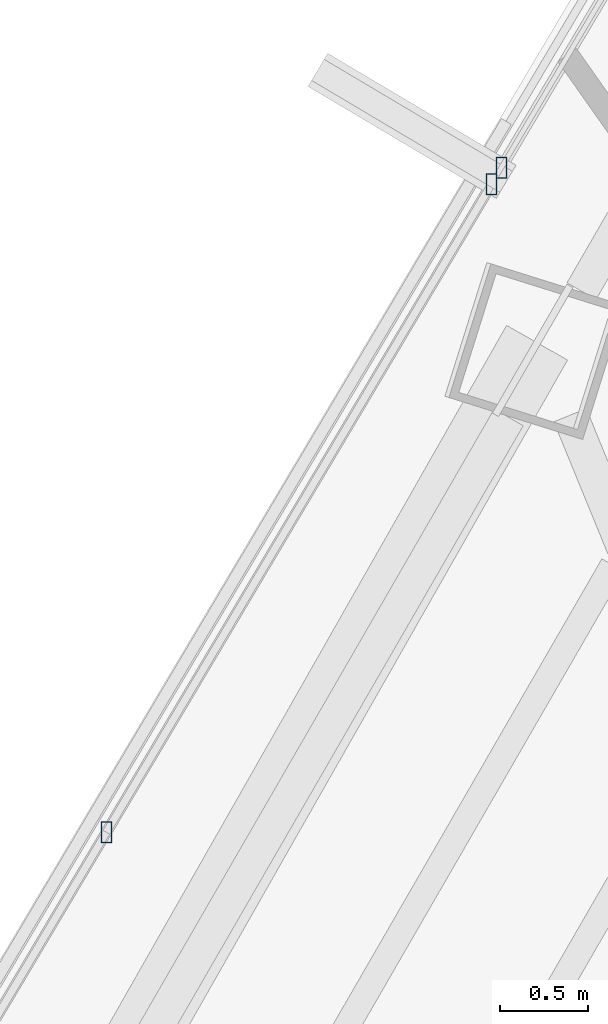
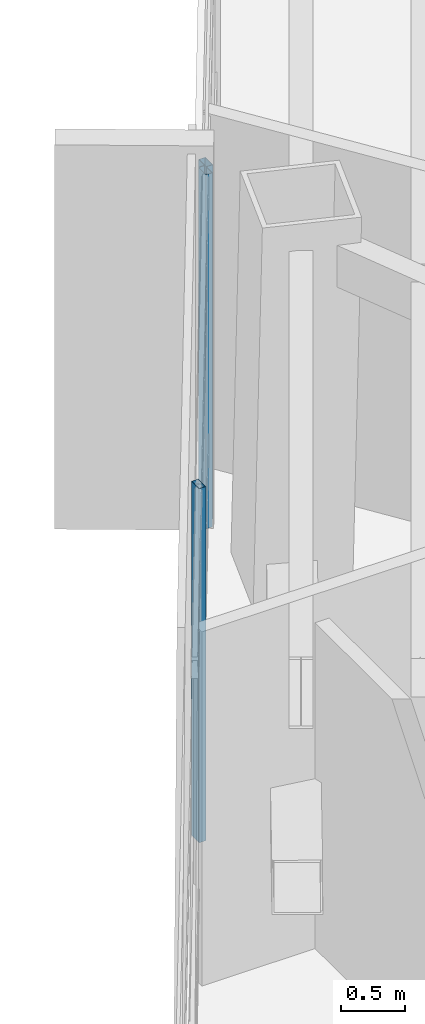
# One storey, part 20 of 47: 3 members, 2 elements without a shape of their own.
"""IFC4 building model written with IfcOpenShell, lengths in metres."""

import ifcopenshell
import ifcopenshell.guid

model = None  # the IFC model being written
_history = None  # IfcOwnerHistory: only IFC2X3 demands one
_inside = {}  # id of a spatial element -> (the spatial element, [elements in it])
_under = {}  # id of a project, library or spatial element -> (it, [spatial elements below it])
_declared = {}  # id of a project -> (the project, [libraries it declares])
_typed = {}  # id of a type object -> (the type object, [elements of that type])
_made_of = {}  # id of a material, layer set ... -> (it, [elements and type objects made of it])


def new_model(schema):
    """Start an empty IFC model of exactly this schema.

    Asked for "IFC4X3", IfcOpenShell would pick the latest addendum, in which some entities
    have other attributes; the version numbers below select the first issue.
    IFC2X3 requires an IfcOwnerHistory on every rooted entity: one is made here for all.
    """
    global model, _history
    if schema == "IFC4X3":
        model = ifcopenshell.file(schema_version=(4, 3, 0, 0))
    else:
        model = ifcopenshell.file(schema=schema)
    _inside.clear()
    _under.clear()
    _declared.clear()
    _typed.clear()
    _made_of.clear()
    _history = None
    if model.schema == "IFC2X3":
        org = make("IfcOrganization", Name="unknown")
        user = make(
            "IfcPersonAndOrganization",
            ThePerson=make("IfcPerson", FamilyName="unknown"),
            TheOrganization=org,
        )
        app = make(
            "IfcApplication",
            ApplicationDeveloper=org,
            Version="unknown",
            ApplicationFullName="unknown",
            ApplicationIdentifier="unknown",
        )
        _history = make(
            "IfcOwnerHistory",
            OwningUser=user,
            OwningApplication=app,
            ChangeAction="ADDED",
            CreationDate=0,
        )
    return model


def make(cls, **values):
    """One entity of the class cls with the attributes given. An attribute that is None is left unset."""
    return model.create_entity(
        cls, **{name: value for name, value in values.items() if value is not None}
    )


def rooted(cls, **values):
    """An entity with a GlobalId (a new one), such as an element, a storey or a relation."""
    return make(cls, GlobalId=ifcopenshell.guid.new(), OwnerHistory=_history, **values)


def si_unit(unit_type, name, prefix=None):
    """IfcSIUnit, for example si_unit("LENGTHUNIT", "METRE", prefix="MILLI")."""
    return make("IfcSIUnit", UnitType=unit_type, Prefix=prefix, Name=name)


def assignment(units):
    """IfcUnitAssignment: the units of a project."""
    return None if units is None else make("IfcUnitAssignment", Units=units)


def point(xyz):
    """IfcCartesianPoint."""
    return None if xyz is None else make("IfcCartesianPoint", Coordinates=xyz)


def direction(xyz):
    """IfcDirection."""
    return None if xyz is None else make("IfcDirection", DirectionRatios=xyz)


def frame(location, z_axis=None, x_axis=None):
    """IfcAxis2Placement3D, a coordinate frame: its origin and axes. An axis left out is left unset."""
    return make(
        "IfcAxis2Placement3D",
        Location=point(location),
        Axis=direction(z_axis),
        RefDirection=direction(x_axis),
    )


def frame_2d(location, x_axis=None):
    """IfcAxis2Placement2D, a coordinate frame in the plane: its origin and x axis."""
    return make(
        "IfcAxis2Placement2D", Location=point(location), RefDirection=direction(x_axis)
    )


def origin():
    """The frame at (0, 0, 0) with its axes left unset."""
    return frame((0.0, 0.0, 0.0))


def origin_2d():
    """The frame at (0, 0) in the plane with its x axis left unset."""
    return frame_2d((0.0, 0.0))


def place(relative_to, where):
    """IfcLocalPlacement: puts the frame where relative to a parent placement (None: the world)."""
    return make(
        "IfcLocalPlacement", PlacementRelTo=relative_to, RelativePlacement=where
    )


def context(
    kind, dimensions, precision=None, world=None, true_north=None, identifier=None
):
    """IfcGeometricRepresentationContext, for example the 3D "Model" context."""
    return make(
        "IfcGeometricRepresentationContext",
        ContextIdentifier=identifier,
        ContextType=kind,
        CoordinateSpaceDimension=dimensions,
        Precision=precision,
        WorldCoordinateSystem=world,
        TrueNorth=true_north,
    )


def subcontext(parent, identifier, kind, view, scale=None):
    """IfcGeometricRepresentationSubContext, for example "Body" below "Model"."""
    return make(
        "IfcGeometricRepresentationSubContext",
        ContextIdentifier=identifier,
        ContextType=kind,
        ParentContext=parent,
        TargetScale=scale,
        TargetView=view,
    )


def project(units=None, contexts=None):
    """IfcProject with its units and contexts."""
    return rooted(
        "IfcProject",
        Name="project",
        RepresentationContexts=contexts,
        UnitsInContext=assignment(units),
    )


def spatial(cls, under=None, at=None, **own):
    """A site, building, storey or space (cls), placed at a placement, below another one or the project."""
    s = rooted(cls, ObjectPlacement=at, **own)
    if under is not None:
        _under.setdefault(under.id(), (under, []))[1].append(s)
    return s


def profile(cls, at=None, kind="AREA", **sizes):
    """A parametric profile (cls). Its sizes go by their IFC names, for example OverallWidth=200.0."""
    return make(cls, ProfileType=kind, Position=at, **sizes)


def hollow_rectangle(**sizes):
    """IfcRectangleHollowProfileDef."""
    return profile("IfcRectangleHollowProfileDef", **sizes)


def extrude(swept, where, along, depth):
    """IfcExtrudedAreaSolid: the profile swept, set in the frame where, extruded along a direction by depth."""
    return make(
        "IfcExtrudedAreaSolid",
        SweptArea=swept,
        Position=where,
        ExtrudedDirection=direction(along),
        Depth=depth,
    )


def shape(context_of_items, identifier, shape_type, items):
    """IfcShapeRepresentation: the items that make up one representation, for example the "Body"."""
    return make(
        "IfcShapeRepresentation",
        ContextOfItems=context_of_items,
        RepresentationIdentifier=identifier,
        RepresentationType=shape_type,
        Items=items,
    )


def source(mapping_origin, context_of_items, identifier, shape_type, items):
    """IfcRepresentationMap: a shape defined once, which mapped items show again and again."""
    return make(
        "IfcRepresentationMap",
        MappingOrigin=mapping_origin,
        MappedRepresentation=shape(context_of_items, identifier, shape_type, items),
    )


def transform(
    local_origin,
    x_axis=None,
    y_axis=None,
    z_axis=None,
    scale=None,
    scale2=None,
    scale3=None,
    uniform=True,
):
    """IfcCartesianTransformationOperator3D, or its non-uniform kind. x_axis, y_axis, z_axis: its Axis1, 2, 3."""
    if uniform:
        return make(
            "IfcCartesianTransformationOperator3D",
            Axis1=direction(x_axis),
            Axis2=direction(y_axis),
            LocalOrigin=point(local_origin),
            Scale=scale,
            Axis3=direction(z_axis),
        )
    return make(
        "IfcCartesianTransformationOperator3DnonUniform",
        Axis1=direction(x_axis),
        Axis2=direction(y_axis),
        LocalOrigin=point(local_origin),
        Scale=scale,
        Axis3=direction(z_axis),
        Scale2=scale2,
        Scale3=scale3,
    )


def mapped(mapping_source, mapping_target):
    """IfcMappedItem: shows the shape of a source again, moved by a transform."""
    return make(
        "IfcMappedItem", MappingSource=mapping_source, MappingTarget=mapping_target
    )


def material(Name=None, Category=None):
    """IfcMaterial."""
    return make("IfcMaterial", Name=Name, Category=Category)


def material_profile(
    of_material, cross_section, Name=None, Category=None, Priority=None
):
    """IfcMaterialProfile: a cross section and its material."""
    return make(
        "IfcMaterialProfile",
        Name=Name,
        Material=of_material,
        Profile=cross_section,
        Priority=Priority,
        Category=Category,
    )


def profile_set(profiles, Name=None, composite=None):
    """IfcMaterialProfileSet."""
    return make(
        "IfcMaterialProfileSet",
        Name=Name,
        MaterialProfiles=profiles,
        CompositeProfile=composite,
    )


def made_of(thing, what):
    """Note that an element or type object is made of a material, layer set ...; save() writes the relation."""
    if what is not None:
        _made_of.setdefault(what.id(), (what, []))[1].append(thing)
    return thing


def type_object(cls, material=None, **own):
    """A type object (cls), such as IfcWallType, which elements share."""
    return made_of(rooted(cls, **own), material)


def type_shapes(of_type, sources):
    """Give a type object the sources (RepresentationMaps) that its elements show as mapped items."""
    of_type.RepresentationMaps = sources


def element(
    cls,
    number,
    at=None,
    inside=None,
    cuts=None,
    type_object=None,
    material=None,
    context=None,
    identifier="Body",
    shape_type=None,
    held_by="IfcProductDefinitionShape",
    body=None,
    shapes=None,
    **own,
):
    """One element of the class cls, such as IfcWall. Its Tag is "e" and its number.

    at: its placement. inside: the storey or other place that contains it. cuts: it is an
    opening in that element (IfcRelVoidsElement). A single representation is given by context,
    identifier, shape_type and body (its items); several are given by shapes. held_by: the class
    of the entity that holds the representations. save() writes the other relations.
    """
    e = rooted(cls, Tag="e%d" % number, ObjectPlacement=at, **own)
    if body is not None:
        shapes = [shape(context, identifier, shape_type, body)]
    if shapes is not None:
        e.Representation = make(held_by, Representations=shapes)
    if inside is not None:
        _inside.setdefault(inside.id(), (inside, []))[1].append(e)
    if cuts is not None:
        rooted(
            "IfcRelVoidsElement", RelatingBuildingElement=cuts, RelatedOpeningElement=e
        )
    if type_object is not None:
        _typed.setdefault(type_object.id(), (type_object, []))[1].append(e)
    return made_of(e, material)


def aggregate(whole, parts):
    """IfcRelAggregates: a whole, such as a stair, and the parts it consists of."""
    return rooted("IfcRelAggregates", RelatingObject=whole, RelatedObjects=parts)


def save(model, path):
    """Write the relations noted so far, then the file.

    IfcRelAggregates (storeys below a building ...), IfcRelContainedInSpatialStructure (elements
    in a storey), IfcRelDefinesByType, IfcRelAssociatesMaterial and IfcRelDeclares: one each for
    every whole, place, type object, material and project.
    """
    for whole, parts in _under.values():
        aggregate(whole, parts)
    for where, things in _inside.values():
        rooted(
            "IfcRelContainedInSpatialStructure",
            RelatedElements=things,
            RelatingStructure=where,
        )
    for kind, things in _typed.values():
        rooted("IfcRelDefinesByType", RelatedObjects=things, RelatingType=kind)
    for what, things in _made_of.values():
        rooted("IfcRelAssociatesMaterial", RelatedObjects=things, RelatingMaterial=what)
    for by, libraries in _declared.values():
        rooted("IfcRelDeclares", RelatingContext=by, RelatedDefinitions=libraries)
    model.write(path)


model = new_model("IFC4")

# Units and contexts
model_context = context("Model", 3, precision=1e-05, world=origin(), true_north=direction((0.0, 1.0)))
body_context = subcontext(model_context, "Body", "Model", "MODEL_VIEW")
ifc_project = project(units=[si_unit("LENGTHUNIT", "METRE"), si_unit("AREAUNIT", "SQUARE_METRE"), si_unit("VOLUMEUNIT", "CUBIC_METRE"), si_unit("PLANEANGLEUNIT", "RADIAN"), si_unit("MASSUNIT", "GRAM", prefix="KILO")], contexts=[model_context])

# Site, building, storey
site_placement = place(None, origin())
site = spatial("IfcSite", under=ifc_project, at=site_placement, CompositionType="ELEMENT")
building_placement = place(site_placement, origin())
building = spatial("IfcBuilding", under=site, at=building_placement, Name="Caelisora Broadcast Tower", CompositionType="ELEMENT")
storey_placement = place(building_placement, frame((0.0, 0.0, 229.85009765625)))
storey = spatial("IfcBuildingStorey", under=building, at=storey_placement, Name="L60", CompositionType="ELEMENT", Elevation=229.85009765625)

# Curtain wall, members
ifc_material_1 = material(Name="Unitised Aluminium Insulated Shadow-Box Spandrel Curtain Wall", Category="aluminium")
curtain_wall_type_1 = type_object("IfcCurtainWallType", Name="CW-SP3", PredefinedType="NOTDEFINED", material=ifc_material_1)
curtain_wall_1_placement = place(storey_placement, origin())
curtain_wall_1 = element("IfcCurtainWall", 1, at=curtain_wall_1_placement, inside=storey, type_object=curtain_wall_type_1, Name="L60 curtain wall CW-SP3", PredefinedType="NOTDEFINED")
ifc_material_2 = material(Name="Aluminium 6063-T6 Anodised Terracotta Bronze", Category="aluminium")
ifc_material_profile = material_profile(ifc_material_2, hollow_rectangle(XDim=0.06005859375, YDim=0.1201171875, WallThickness=0.0029296875, at=origin_2d()), Name="Aluminium 6063-T6 Anodised Terracotta Bronze")
ifc_profile_set = profile_set([ifc_material_profile], Name="Aluminium 6063-T6 Anodised Terracotta Bronze")
member_type = type_object("IfcMemberType", Name="CWM-04", PredefinedType="MULLION", material=ifc_profile_set)
shared_shape = source(origin(), body_context, "Body", "SweptSolid", [
    extrude(hollow_rectangle(XDim=0.06005859375, YDim=0.1201171875, WallThickness=0.0029296875, at=origin_2d()), origin(), (0.0, 0.0, 1.0), 3.39990234375),
])
type_shapes(member_type, [shared_shape])
member_1_placement = place(storey_placement, frame((25.300537109375, 33.856201171875, 0.0), z_axis=(0.0, 0.0, 1.0), x_axis=(1.0, 0.0, 0.0)))
member_1 = element("IfcMember", 2, at=member_1_placement, type_object=member_type, Name="L60-CW-B10 mullion #2", PredefinedType="MULLION", context=body_context, shape_type="MappedRepresentation", body=[
    mapped(shared_shape, transform((0.0, 0.0, 0.0), scale=1.0)),
])
member_2_placement = place(storey_placement, frame((27.498779296875, 37.5556640625, 0.0), z_axis=(0.0, 0.0, 1.0), x_axis=(1.0, 0.0, 0.0)))
member_2 = element("IfcMember", 3, at=member_2_placement, type_object=member_type, Name="L60-CW-B10 mullion #3", PredefinedType="MULLION", context=body_context, shape_type="MappedRepresentation", body=[
    mapped(shared_shape, transform((0.0, 0.0, 0.0), scale=1.0)),
])
aggregate(curtain_wall_1, [member_1, member_2])

# Curtain wall, member
ifc_material_3 = material(Name="Unitised Aluminium and Low-E Glass Curtain Wall", Category="glass")
curtain_wall_type_2 = type_object("IfcCurtainWallType", Name="CW-Z5", PredefinedType="NOTDEFINED", material=ifc_material_3)
curtain_wall_2_placement = place(storey_placement, origin())
curtain_wall_2 = element("IfcCurtainWall", 4, at=curtain_wall_2_placement, inside=storey, type_object=curtain_wall_type_2, Name="L60 curtain wall CW-Z5", PredefinedType="NOTDEFINED")
member_3_placement = place(storey_placement, frame((27.554931640625, 37.650390625, 0.0), z_axis=(0.0, 0.0, 1.0), x_axis=(1.0, 0.0, 0.0)))
member_3 = element("IfcMember", 5, at=member_3_placement, type_object=member_type, Name="L60-CW-B11 mullion #0", PredefinedType="MULLION", context=body_context, shape_type="MappedRepresentation", body=[
    mapped(shared_shape, transform((0.0, 0.0, 0.0), scale=1.0)),
])
aggregate(curtain_wall_2, [member_3])

save(model, "model.ifc")
